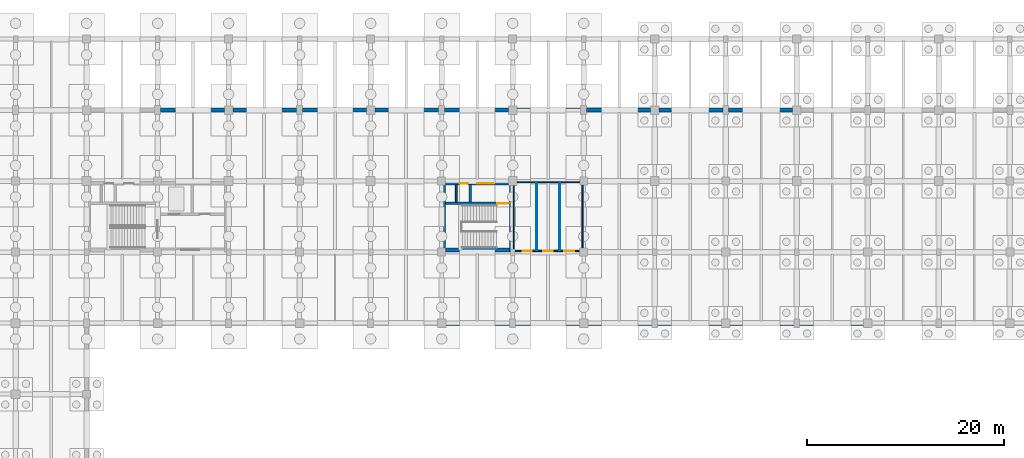
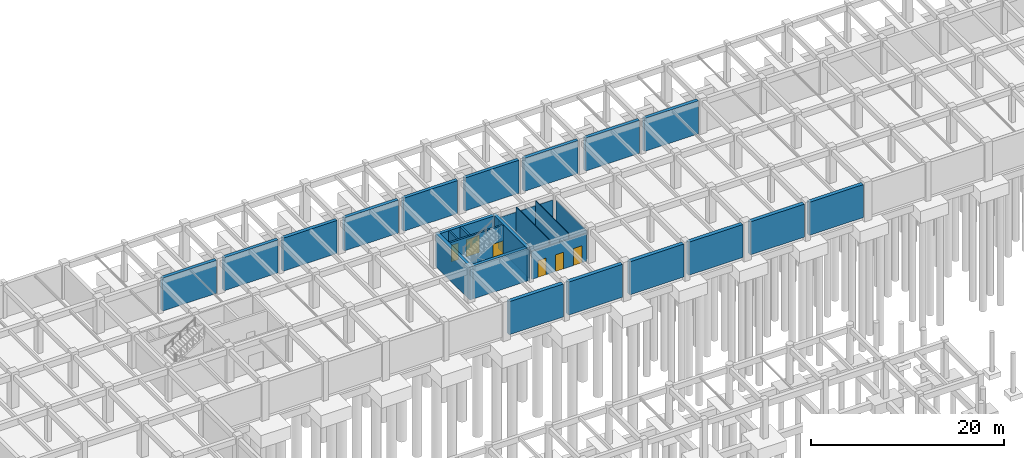
# One storey, part 40 of 47: 28 walls, 6 doors, 6 openings.
"""IFC4 building model written with IfcOpenShell, lengths in metres."""

import ifcopenshell
import ifcopenshell.guid

model = None  # the IFC model being written
_history = None  # IfcOwnerHistory: only IFC2X3 demands one
_inside = {}  # id of a spatial element -> (the spatial element, [elements in it])
_under = {}  # id of a project, library or spatial element -> (it, [spatial elements below it])
_declared = {}  # id of a project -> (the project, [libraries it declares])
_typed = {}  # id of a type object -> (the type object, [elements of that type])
_made_of = {}  # id of a material, layer set ... -> (it, [elements and type objects made of it])


def new_model(schema):
    """Start an empty IFC model of exactly this schema.

    Asked for "IFC4X3", IfcOpenShell would pick the latest addendum, in which some entities
    have other attributes; the version numbers below select the first issue.
    IFC2X3 requires an IfcOwnerHistory on every rooted entity: one is made here for all.
    """
    global model, _history
    if schema == "IFC4X3":
        model = ifcopenshell.file(schema_version=(4, 3, 0, 0))
    else:
        model = ifcopenshell.file(schema=schema)
    _inside.clear()
    _under.clear()
    _declared.clear()
    _typed.clear()
    _made_of.clear()
    _history = None
    if model.schema == "IFC2X3":
        org = make("IfcOrganization", Name="unknown")
        user = make(
            "IfcPersonAndOrganization",
            ThePerson=make("IfcPerson", FamilyName="unknown"),
            TheOrganization=org,
        )
        app = make(
            "IfcApplication",
            ApplicationDeveloper=org,
            Version="unknown",
            ApplicationFullName="unknown",
            ApplicationIdentifier="unknown",
        )
        _history = make(
            "IfcOwnerHistory",
            OwningUser=user,
            OwningApplication=app,
            ChangeAction="ADDED",
            CreationDate=0,
        )
    return model


def make(cls, **values):
    """One entity of the class cls with the attributes given. An attribute that is None is left unset."""
    return model.create_entity(
        cls, **{name: value for name, value in values.items() if value is not None}
    )


def rooted(cls, **values):
    """An entity with a GlobalId (a new one), such as an element, a storey or a relation."""
    return make(cls, GlobalId=ifcopenshell.guid.new(), OwnerHistory=_history, **values)


def si_unit(unit_type, name, prefix=None):
    """IfcSIUnit, for example si_unit("LENGTHUNIT", "METRE", prefix="MILLI")."""
    return make("IfcSIUnit", UnitType=unit_type, Prefix=prefix, Name=name)


def assignment(units):
    """IfcUnitAssignment: the units of a project."""
    return None if units is None else make("IfcUnitAssignment", Units=units)


def point(xyz):
    """IfcCartesianPoint."""
    return None if xyz is None else make("IfcCartesianPoint", Coordinates=xyz)


def direction(xyz):
    """IfcDirection."""
    return None if xyz is None else make("IfcDirection", DirectionRatios=xyz)


def frame(location, z_axis=None, x_axis=None):
    """IfcAxis2Placement3D, a coordinate frame: its origin and axes. An axis left out is left unset."""
    return make(
        "IfcAxis2Placement3D",
        Location=point(location),
        Axis=direction(z_axis),
        RefDirection=direction(x_axis),
    )


def frame_2d(location, x_axis=None):
    """IfcAxis2Placement2D, a coordinate frame in the plane: its origin and x axis."""
    return make(
        "IfcAxis2Placement2D", Location=point(location), RefDirection=direction(x_axis)
    )


def origin():
    """The frame at (0, 0, 0) with its axes left unset."""
    return frame((0.0, 0.0, 0.0))


def place(relative_to, where):
    """IfcLocalPlacement: puts the frame where relative to a parent placement (None: the world)."""
    return make(
        "IfcLocalPlacement", PlacementRelTo=relative_to, RelativePlacement=where
    )


def context(
    kind, dimensions, precision=None, world=None, true_north=None, identifier=None
):
    """IfcGeometricRepresentationContext, for example the 3D "Model" context."""
    return make(
        "IfcGeometricRepresentationContext",
        ContextIdentifier=identifier,
        ContextType=kind,
        CoordinateSpaceDimension=dimensions,
        Precision=precision,
        WorldCoordinateSystem=world,
        TrueNorth=true_north,
    )


def subcontext(parent, identifier, kind, view, scale=None):
    """IfcGeometricRepresentationSubContext, for example "Body" below "Model"."""
    return make(
        "IfcGeometricRepresentationSubContext",
        ContextIdentifier=identifier,
        ContextType=kind,
        ParentContext=parent,
        TargetScale=scale,
        TargetView=view,
    )


def project(units=None, contexts=None):
    """IfcProject with its units and contexts."""
    return rooted(
        "IfcProject",
        Name="project",
        RepresentationContexts=contexts,
        UnitsInContext=assignment(units),
    )


def spatial(cls, under=None, at=None, **own):
    """A site, building, storey or space (cls), placed at a placement, below another one or the project."""
    s = rooted(cls, ObjectPlacement=at, **own)
    if under is not None:
        _under.setdefault(under.id(), (under, []))[1].append(s)
    return s


def profile(cls, at=None, kind="AREA", **sizes):
    """A parametric profile (cls). Its sizes go by their IFC names, for example OverallWidth=200.0."""
    return make(cls, ProfileType=kind, Position=at, **sizes)


def rectangle(**sizes):
    """IfcRectangleProfileDef."""
    return profile("IfcRectangleProfileDef", **sizes)


def extrude(swept, where, along, depth):
    """IfcExtrudedAreaSolid: the profile swept, set in the frame where, extruded along a direction by depth."""
    return make(
        "IfcExtrudedAreaSolid",
        SweptArea=swept,
        Position=where,
        ExtrudedDirection=direction(along),
        Depth=depth,
    )


def shape(context_of_items, identifier, shape_type, items):
    """IfcShapeRepresentation: the items that make up one representation, for example the "Body"."""
    return make(
        "IfcShapeRepresentation",
        ContextOfItems=context_of_items,
        RepresentationIdentifier=identifier,
        RepresentationType=shape_type,
        Items=items,
    )


def material(Name=None, Category=None):
    """IfcMaterial."""
    return make("IfcMaterial", Name=Name, Category=Category)


def layer(
    of_material, thickness, ventilated=None, Name=None, Category=None, Priority=None
):
    """IfcMaterialLayer: one layer of a wall or slab, of a material (None: an air gap)."""
    return make(
        "IfcMaterialLayer",
        Material=of_material,
        LayerThickness=thickness,
        IsVentilated=ventilated,
        Name=Name,
        Category=Category,
        Priority=Priority,
    )


def layer_set(layers, Name=None):
    """IfcMaterialLayerSet."""
    return make("IfcMaterialLayerSet", MaterialLayers=layers, LayerSetName=Name)


def made_of(thing, what):
    """Note that an element or type object is made of a material, layer set ...; save() writes the relation."""
    if what is not None:
        _made_of.setdefault(what.id(), (what, []))[1].append(thing)
    return thing


def type_object(cls, material=None, **own):
    """A type object (cls), such as IfcWallType, which elements share."""
    return made_of(rooted(cls, **own), material)


def element(
    cls,
    number,
    at=None,
    inside=None,
    cuts=None,
    type_object=None,
    material=None,
    context=None,
    identifier="Body",
    shape_type=None,
    held_by="IfcProductDefinitionShape",
    body=None,
    shapes=None,
    **own,
):
    """One element of the class cls, such as IfcWall. Its Tag is "e" and its number.

    at: its placement. inside: the storey or other place that contains it. cuts: it is an
    opening in that element (IfcRelVoidsElement). A single representation is given by context,
    identifier, shape_type and body (its items); several are given by shapes. held_by: the class
    of the entity that holds the representations. save() writes the other relations.
    """
    e = rooted(cls, Tag="e%d" % number, ObjectPlacement=at, **own)
    if body is not None:
        shapes = [shape(context, identifier, shape_type, body)]
    if shapes is not None:
        e.Representation = make(held_by, Representations=shapes)
    if inside is not None:
        _inside.setdefault(inside.id(), (inside, []))[1].append(e)
    if cuts is not None:
        rooted(
            "IfcRelVoidsElement", RelatingBuildingElement=cuts, RelatedOpeningElement=e
        )
    if type_object is not None:
        _typed.setdefault(type_object.id(), (type_object, []))[1].append(e)
    return made_of(e, material)


def fill(opening, filler):
    """IfcRelFillsElement: the door or window that sits in an opening."""
    return rooted(
        "IfcRelFillsElement",
        RelatingOpeningElement=opening,
        RelatedBuildingElement=filler,
    )


def aggregate(whole, parts):
    """IfcRelAggregates: a whole, such as a stair, and the parts it consists of."""
    return rooted("IfcRelAggregates", RelatingObject=whole, RelatedObjects=parts)


def save(model, path):
    """Write the relations noted so far, then the file.

    IfcRelAggregates (storeys below a building ...), IfcRelContainedInSpatialStructure (elements
    in a storey), IfcRelDefinesByType, IfcRelAssociatesMaterial and IfcRelDeclares: one each for
    every whole, place, type object, material and project.
    """
    for whole, parts in _under.values():
        aggregate(whole, parts)
    for where, things in _inside.values():
        rooted(
            "IfcRelContainedInSpatialStructure",
            RelatedElements=things,
            RelatingStructure=where,
        )
    for kind, things in _typed.values():
        rooted("IfcRelDefinesByType", RelatedObjects=things, RelatingType=kind)
    for what, things in _made_of.values():
        rooted("IfcRelAssociatesMaterial", RelatedObjects=things, RelatingMaterial=what)
    for by, libraries in _declared.values():
        rooted("IfcRelDeclares", RelatingContext=by, RelatedDefinitions=libraries)
    model.write(path)


model = new_model("IFC4")

# Units and contexts
model_context = context("Model", 3, precision=1e-05, world=origin(), true_north=direction((0.0, 1.0)))
body_context = subcontext(model_context, "Body", "Model", "MODEL_VIEW")
ifc_project = project(units=[si_unit("LENGTHUNIT", "METRE"), si_unit("AREAUNIT", "SQUARE_METRE"), si_unit("VOLUMEUNIT", "CUBIC_METRE"), si_unit("PLANEANGLEUNIT", "RADIAN"), si_unit("MASSUNIT", "GRAM", prefix="KILO")], contexts=[model_context])

# Site, building, storey
site_placement = place(None, origin())
site = spatial("IfcSite", under=ifc_project, at=site_placement, CompositionType="ELEMENT")
building_placement = place(site_placement, origin())
building = spatial("IfcBuilding", under=site, at=building_placement, Name="Thalmaran Polytechnic", CompositionType="ELEMENT")
storey_placement = place(building_placement, frame((0.0, 0.0, -4.5)))
storey = spatial("IfcBuildingStorey", under=building, at=storey_placement, Name="B1", CompositionType="ELEMENT", Elevation=-4.5)

# Walls
ifc_material_1 = material(Name="Autoclaved aerated masonry", Category="masonry")
ifc_layer_1 = layer(ifc_material_1, 0.22998046875, Name="Autoclaved aerated masonry")
ifc_layer_set_1 = layer_set([ifc_layer_1], Name="Autoclaved aerated masonry")
wall_type_1 = type_object("IfcWallType", Name="WL-IW02", PredefinedType="PARTITIONING", material=ifc_layer_set_1)
wall_1_placement = place(storey_placement, frame((60.5, 105.89990234375, 0.0), z_axis=(0.0, 0.0, 1.0), x_axis=(0.0, 1.0, 0.0)))
element("IfcWall", 1, at=wall_1_placement, inside=storey, type_object=wall_type_1, Name="Core C6 Riser Partition B1", PredefinedType="PARTITIONING", context=body_context, shape_type="SweptSolid", body=[
    extrude(rectangle(XDim=1.739990234375, YDim=0.22998046875, at=frame_2d((0.8701171875, 0.0))), origin(), (0.0, 0.0, 1.0), 4.169921875),
])
ifc_layer_2 = layer(ifc_material_1, 0.179931640625, Name="Autoclaved aerated masonry")
ifc_layer_set_2 = layer_set([ifc_layer_2], Name="Autoclaved aerated masonry")
wall_type_2 = type_object("IfcWallType", Name="WL-IW04", PredefinedType="PARTITIONING", material=ifc_layer_set_2)
wall_2_placement = place(storey_placement, frame((59.080078125, 105.8798828125, 0.0), z_axis=(0.0, 0.0, 1.0), x_axis=(0.0, 1.0, 0.0)))
element("IfcWall", 2, at=wall_2_placement, inside=storey, type_object=wall_type_2, Name="Core C6 Riser Shaft Enclosure Wall B1", PredefinedType="PARTITIONING", context=body_context, shape_type="SweptSolid", body=[
    extrude(rectangle(XDim=1.760009765625, YDim=0.179931640625, at=frame_2d((0.8798828125, 0.0))), origin(), (0.0, 0.0, 1.0), 4.169921875),
])

# Wall, openings, doors
ifc_material_2 = material(Name="Gypsum acoustic partition")
ifc_layer_3 = layer(ifc_material_2, 0.114990234375, Name="Gypsum acoustic partition")
ifc_layer_set_3 = layer_set([ifc_layer_3], Name="Gypsum acoustic partition")
wall_type_3 = type_object("IfcWallType", Name="WL-IW08", PredefinedType="PARTITIONING", material=ifc_layer_set_3)
wall_3_placement = place(storey_placement, frame((65.030029296875, 100.919921875, 0.0), z_axis=(0.0, 0.0, 1.0), x_axis=(1.0, 0.0, 0.0)))
wall_3 = element("IfcWall", 3, at=wall_3_placement, inside=storey, type_object=wall_type_3, Name="Sanitary Core Wall B1-W2-S", PredefinedType="PARTITIONING", context=body_context, shape_type="SweptSolid", body=[
    extrude(rectangle(XDim=6.554931640625, YDim=0.114990234375, at=frame_2d((3.27734375, 0.0))), origin(), (0.0, 0.0, 1.0), 3.530029296875),
])
opening_1_placement = place(wall_3_placement, frame((0.77001953125, 0.0, 0.0)))
opening_1 = element("IfcOpeningElement", 4, at=opening_1_placement, cuts=wall_3, Name="Opening WD-B1-W2-1", PredefinedType="OPENING", context=body_context, shape_type="SweptSolid", body=[
    extrude(rectangle(XDim=0.949951171875, YDim=2.10009765625, at=frame_2d((0.47509765625, 1.050048828125))), frame((0.0, 0.0673828125, 0.0), z_axis=(0.0, -1.0, 0.0), x_axis=(1.0, 0.0, 0.0)), (0.0, 0.0, 1.0), 0.135009765625),
])
opening_2_placement = place(wall_3_placement, frame((2.8701171875, 0.0, 0.0)))
opening_2 = element("IfcOpeningElement", 5, at=opening_2_placement, cuts=wall_3, Name="Opening WD-B1-W2-2", PredefinedType="OPENING", context=body_context, shape_type="SweptSolid", body=[
    extrude(rectangle(XDim=0.949951171875, YDim=2.10009765625, at=frame_2d((0.47509765625, 1.050048828125))), frame((0.0, 0.0673828125, 0.0), z_axis=(0.0, -1.0, 0.0), x_axis=(1.0, 0.0, 0.0)), (0.0, 0.0, 1.0), 0.135009765625),
])
opening_3_placement = place(wall_3_placement, frame((5.02001953125, 0.0, 0.0)))
opening_3 = element("IfcOpeningElement", 6, at=opening_3_placement, cuts=wall_3, Name="Opening WD-B1-W2-3", PredefinedType="OPENING", context=body_context, shape_type="SweptSolid", body=[
    extrude(rectangle(XDim=1.0, YDim=2.14990234375, at=frame_2d((0.5, 1.074951171875))), frame((0.0, 0.0673828125, 0.0), z_axis=(0.0, -1.0, 0.0), x_axis=(1.0, 0.0, 0.0)), (0.0, 0.0, 1.0), 0.135009765625),
])
ifc_material_3 = material(Name="Acoustic hardwood", Category="wood")
door_type_1 = type_object("IfcDoorType", Name="DR-ID06", OperationType="NOTDEFINED", PredefinedType="DOOR", material=ifc_material_3)
door_1_placement = place(opening_3_placement, origin())
door_1 = element("IfcDoor", 7, at=door_1_placement, inside=storey, type_object=door_type_1, Name="Accessible WC Door B1-W2", OperationType="SINGLE_SWING_RIGHT", OverallHeight=2.14990234375, OverallWidth=1.0, PredefinedType="DOOR", context=body_context, shape_type="SweptSolid", body=[
    extrude(rectangle(XDim=1.0, YDim=2.14990234375, at=frame_2d((0.5, 1.074951171875))), frame((0.0, 0.02490234375, 0.0), z_axis=(0.0, -1.0, 0.0), x_axis=(1.0, 0.0, 0.0)), (0.0, 0.0, 1.0), 0.050048828125),
])
fill(opening_3, door_1)
ifc_material_4 = material(Name="Moisture-resistant laminate timber", Category="wood")
door_type_2 = type_object("IfcDoorType", Name="DR-ID07", OperationType="NOTDEFINED", PredefinedType="DOOR", material=ifc_material_4)
door_2_placement = place(opening_1_placement, origin())
door_2 = element("IfcDoor", 8, at=door_2_placement, inside=storey, type_object=door_type_2, Name="Male WC Door B1-W2", OperationType="SINGLE_SWING_RIGHT", OverallHeight=2.10009765625, OverallWidth=0.949951171875, PredefinedType="DOOR", context=body_context, shape_type="SweptSolid", body=[
    extrude(rectangle(XDim=0.949951171875, YDim=2.10009765625, at=frame_2d((0.47509765625, 1.050048828125))), frame((0.0, 0.02490234375, 0.0), z_axis=(0.0, -1.0, 0.0), x_axis=(1.0, 0.0, 0.0)), (0.0, 0.0, 1.0), 0.050048828125),
])
fill(opening_1, door_2)
door_3_placement = place(opening_2_placement, origin())
door_3 = element("IfcDoor", 9, at=door_3_placement, inside=storey, type_object=door_type_2, Name="Female WC Door B1-W2", OperationType="SINGLE_SWING_LEFT", OverallHeight=2.10009765625, OverallWidth=0.949951171875, PredefinedType="DOOR", context=body_context, shape_type="SweptSolid", body=[
    extrude(rectangle(XDim=0.949951171875, YDim=2.10009765625, at=frame_2d((0.47509765625, 1.050048828125))), frame((0.0, 0.02490234375, 0.0), z_axis=(0.0, -1.0, 0.0), x_axis=(1.0, 0.0, 0.0)), (0.0, 0.0, 1.0), 0.050048828125),
])
fill(opening_2, door_3)

# Walls
wall_4_placement = place(storey_placement, frame((65.2548828125, 107.8798828125, 0.0), z_axis=(0.0, 0.0, 1.0), x_axis=(1.0, 0.0, 0.0)))
element("IfcWall", 10, at=wall_4_placement, inside=storey, type_object=wall_type_3, Name="Sanitary Core Wall B1-W2-N", PredefinedType="PARTITIONING", context=body_context, shape_type="SweptSolid", body=[
    extrude(rectangle(XDim=6.340087890625, YDim=0.114990234375, at=frame_2d((3.169921875, 0.0))), origin(), (0.0, 0.0, 1.0), 3.530029296875),
])
wall_5_placement = place(storey_placement, frame((64.919921875, 101.1298828125, 0.0), z_axis=(0.0, 0.0, 1.0), x_axis=(0.0, 1.0, 0.0)))
element("IfcWall", 11, at=wall_5_placement, inside=storey, type_object=wall_type_3, Name="Sanitary Side Wall B1-W2-W", PredefinedType="PARTITIONING", context=body_context, shape_type="SweptSolid", body=[
    extrude(rectangle(XDim=6.4150390625, YDim=0.114990234375, at=frame_2d((3.20751953125, 0.0))), origin(), (0.0, 0.0, 1.0), 3.5400390625),
])
wall_6_placement = place(storey_placement, frame((71.8798828125, 101.215087890625, 0.0), z_axis=(0.0, 0.0, 1.0), x_axis=(0.0, 1.0, 0.0)))
element("IfcWall", 12, at=wall_6_placement, inside=storey, type_object=wall_type_3, Name="Sanitary Side Wall B1-W2-E", PredefinedType="PARTITIONING", context=body_context, shape_type="SweptSolid", body=[
    extrude(rectangle(XDim=6.3798828125, YDim=0.114990234375, at=frame_2d((3.18994140625, 0.0))), origin(), (0.0, 0.0, 1.0), 3.5400390625),
])
ifc_material_5 = material(Name="Moisture-resistant partition")
ifc_layer_4 = layer(ifc_material_5, 0.10009765625, Name="Moisture-resistant partition")
ifc_layer_set_4 = layer_set([ifc_layer_4], Name="Moisture-resistant partition")
wall_type_4 = type_object("IfcWallType", Name="WL-IW09", PredefinedType="PARTITIONING", material=ifc_layer_set_4)
for number, where, z_axis, x_axis, name in (
    (13, (67.25, 101.0, 0.0), (0.0, 0.0, 1.0), (0.0, 1.0, 0.0), "WC Partition B1-W2-1"),
    (14, (69.550048828125, 101.0, 0.0), (0.0, 0.0, 1.0), (0.0, 1.0, 0.0), "WC Partition B1-W2-2"),
):
    element("IfcWall", number, at=place(storey_placement, frame(where, z_axis=z_axis, x_axis=x_axis)), inside=storey, type_object=wall_type_4, Name=name, PredefinedType="PARTITIONING", context=body_context, shape_type="SweptSolid", body=[
        extrude(rectangle(XDim=6.800048828125, YDim=0.10009765625, at=frame_2d((3.39990234375, 0.0))), origin(), (0.0, 0.0, 1.0), 4.169921875),
    ])
ifc_material_6 = material(Name="Concrete C40/50", Category="concrete")
ifc_layer_5 = layer(ifc_material_6, 0.449951171875, Name="Concrete C40/50")
ifc_layer_set_5 = layer_set([ifc_layer_5], Name="Concrete C40/50")
wall_type_5 = type_object("IfcWallType", Name="WL-RW01", PredefinedType="SOLIDWALL", material=ifc_layer_set_5)
wall_7_placement = place(storey_placement, frame((100.360107421875, 93.60009765625, 0.0), z_axis=(0.0, 0.0, 1.0), x_axis=(-1.0, 0.0, 0.0)))
element("IfcWall", 15, at=wall_7_placement, inside=storey, type_object=wall_type_5, Name="Basement Retaining Wall B1-067", PredefinedType="SOLIDWALL", context=body_context, shape_type="SweptSolid", body=[
    extrude(rectangle(XDim=6.460205078125, YDim=0.449951171875, at=frame_2d((3.22998046875, 0.0))), origin(), (0.0, 0.0, 1.0), 4.169921875),
])
for number, where, z_axis, x_axis, name in (
    (16, (93.300048828125, 93.60009765625, 0.0), (0.0, 0.0, 1.0), (-1.0, 0.0, 0.0), "Basement Retaining Wall B1-068"),
    (17, (85.9599609375, 93.60009765625, 0.0), (0.0, 0.0, 1.0), (-1.0, 0.0, 0.0), "Basement Retaining Wall B1-069"),
    (18, (78.89990234375, 93.60009765625, 0.0), (0.0, 0.0, 1.0), (-1.0, 0.0, 0.0), "Basement Retaining Wall B1-070"),
    (19, (71.56005859375, 93.60009765625, 0.0), (0.0, 0.0, 1.0), (-1.0, 0.0, 0.0), "Basement Retaining Wall B1-071"),
    (20, (64.5, 93.60009765625, 0.0), (0.0, 0.0, 1.0), (-1.0, 0.0, 0.0), "Basement Retaining Wall B1-072"),
):
    element("IfcWall", number, at=place(storey_placement, frame(where, z_axis=z_axis, x_axis=x_axis)), inside=storey, type_object=wall_type_5, Name=name, PredefinedType="SOLIDWALL", context=body_context, shape_type="SweptSolid", body=[
        extrude(rectangle(XDim=6.4599609375, YDim=0.449951171875, at=frame_2d((3.22998046875, 0.0))), origin(), (0.0, 0.0, 1.0), 4.169921875),
    ])
ifc_layer_6 = layer(ifc_material_6, 0.39990234375, Name="Concrete C40/50")
ifc_layer_set_6 = layer_set([ifc_layer_6], Name="Concrete C40/50")
wall_type_6 = type_object("IfcWallType", Name="WL-RW02", PredefinedType="SOLIDWALL", material=ifc_layer_set_6)
for number, where, z_axis, x_axis, name in (
    (21, (29.10009765625, 115.199951171875, 0.0), (0.0, 0.0, 1.0), (1.0, 0.0, 0.0), "Basement Retaining Wall B1-030"),
    (22, (36.43994140625, 115.199951171875, 0.0), (0.0, 0.0, 1.0), (1.0, 0.0, 0.0), "Basement Retaining Wall B1-031"),
    (23, (43.5, 115.199951171875, 0.0), (0.0, 0.0, 1.0), (1.0, 0.0, 0.0), "Basement Retaining Wall B1-032"),
    (24, (50.840087890625, 115.199951171875, 0.0), (0.0, 0.0, 1.0), (1.0, 0.0, 0.0), "Basement Retaining Wall B1-033"),
):
    element("IfcWall", number, at=place(storey_placement, frame(where, z_axis=z_axis, x_axis=x_axis)), inside=storey, type_object=wall_type_6, Name=name, PredefinedType="SOLIDWALL", context=body_context, shape_type="SweptSolid", body=[
        extrude(rectangle(XDim=6.4599609375, YDim=0.39990234375, at=frame_2d((3.22998046875, 0.0))), origin(), (0.0, 0.0, 1.0), 4.169921875),
    ])
wall_8_placement = place(storey_placement, frame((57.89990234375, 115.199951171875, 0.0), z_axis=(0.0, 0.0, 1.0), x_axis=(1.0, 0.0, 0.0)))
element("IfcWall", 25, at=wall_8_placement, inside=storey, type_object=wall_type_6, Name="Basement Retaining Wall B1-034", PredefinedType="SOLIDWALL", context=body_context, shape_type="SweptSolid", body=[
    extrude(rectangle(XDim=6.460205078125, YDim=0.39990234375, at=frame_2d((3.22998046875, 0.0))), origin(), (0.0, 0.0, 1.0), 4.169921875),
])
for number, where, z_axis, x_axis, name in (
    (26, (65.239990234375, 115.199951171875, 0.0), (0.0, 0.0, 1.0), (1.0, 0.0, 0.0), "Basement Retaining Wall B1-035"),
    (27, (72.300048828125, 115.199951171875, 0.0), (0.0, 0.0, 1.0), (1.0, 0.0, 0.0), "Basement Retaining Wall B1-036"),
):
    element("IfcWall", number, at=place(storey_placement, frame(where, z_axis=z_axis, x_axis=x_axis)), inside=storey, type_object=wall_type_6, Name=name, PredefinedType="SOLIDWALL", context=body_context, shape_type="SweptSolid", body=[
        extrude(rectangle(XDim=6.4599609375, YDim=0.39990234375, at=frame_2d((3.22998046875, 0.0))), origin(), (0.0, 0.0, 1.0), 4.169921875),
    ])
wall_9_placement = place(storey_placement, frame((79.639892578125, 115.199951171875, 0.0), z_axis=(0.0, 0.0, 1.0), x_axis=(1.0, 0.0, 0.0)))
element("IfcWall", 28, at=wall_9_placement, inside=storey, type_object=wall_type_6, Name="Basement Retaining Wall B1-037", PredefinedType="SOLIDWALL", context=body_context, shape_type="SweptSolid", body=[
    extrude(rectangle(XDim=6.460205078125, YDim=0.39990234375, at=frame_2d((3.22998046875, 0.0))), origin(), (0.0, 0.0, 1.0), 4.169921875),
])
wall_10_placement = place(storey_placement, frame((86.699951171875, 115.199951171875, 0.0), z_axis=(0.0, 0.0, 1.0), x_axis=(1.0, 0.0, 0.0)))
element("IfcWall", 29, at=wall_10_placement, inside=storey, type_object=wall_type_6, Name="Basement Retaining Wall B1-038", PredefinedType="SOLIDWALL", context=body_context, shape_type="SweptSolid", body=[
    extrude(rectangle(XDim=6.4599609375, YDim=0.39990234375, at=frame_2d((3.22998046875, 0.0))), origin(), (0.0, 0.0, 1.0), 4.169921875),
])
ifc_material_7 = material(Name="Concrete C50/60", Category="concrete")
ifc_layer_7 = layer(ifc_material_7, 0.3798828125, Name="Concrete C50/60")
ifc_layer_set_7 = layer_set([ifc_layer_7], Name="Concrete C50/60")
wall_type_7 = type_object("IfcWallType", Name="WL-SW02", PredefinedType="SHEAR", material=ifc_layer_set_7)
wall_11_placement = place(storey_placement, frame((58.010009765625, 101.02001953125, 0.0), z_axis=(0.0, 0.0, 1.0), x_axis=(1.0, 0.0, 0.0)))
element("IfcWall", 30, at=wall_11_placement, inside=storey, type_object=wall_type_7, Name="Core C6 South Shear Wall B1", PredefinedType="SHEAR", context=body_context, shape_type="SweptSolid", body=[
    extrude(rectangle(XDim=6.4599609375, YDim=0.3798828125, at=frame_2d((3.22998046875, 0.0))), origin(), (0.0, 0.0, 1.0), 4.169921875),
])
wall_12_placement = place(storey_placement, frame((57.820068359375, 107.969970703125, 0.0), z_axis=(0.0, 0.0, 1.0), x_axis=(0.0, -1.0, 0.0)))
element("IfcWall", 31, at=wall_12_placement, inside=storey, type_object=wall_type_7, Name="Core C6 West Shear Wall B1", PredefinedType="SHEAR", context=body_context, shape_type="SweptSolid", body=[
    extrude(rectangle(XDim=7.139892578125, YDim=0.3798828125, at=frame_2d((3.56982421875, 0.0))), origin(), (0.0, 0.0, 1.0), 4.169921875),
])

# Wall, openings, doors
wall_13_placement = place(storey_placement, frame((58.010009765625, 107.780029296875, 0.0), z_axis=(0.0, 0.0, 1.0), x_axis=(1.0, 0.0, 0.0)))
wall_13 = element("IfcWall", 32, at=wall_13_placement, inside=storey, type_object=wall_type_7, Name="Core C6 North Shear Wall B1", PredefinedType="SHEAR", context=body_context, shape_type="SweptSolid", body=[
    extrude(rectangle(XDim=6.4599609375, YDim=0.3798828125, at=frame_2d((3.22998046875, 0.0))), origin(), (0.0, 0.0, 1.0), 4.169921875),
])
opening_4_placement = place(wall_13_placement, frame((1.419921875, 0.0, 0.0)))
opening_4 = element("IfcOpeningElement", 33, at=opening_4_placement, cuts=wall_13, Name="Opening DR-C6-B1-R", PredefinedType="OPENING", context=body_context, shape_type="SweptSolid", body=[
    extrude(rectangle(XDim=0.85009765625, YDim=2.10009765625, at=frame_2d((0.425048828125, 1.050048828125))), frame((0.0, 0.199951171875, 0.0), z_axis=(0.0, -1.0, 0.0), x_axis=(1.0, 0.0, 0.0)), (0.0, 0.0, 1.0), 0.39990234375),
])
opening_5_placement = place(wall_13_placement, frame((3.199951171875, 0.0, 0.0)))
opening_5 = element("IfcOpeningElement", 34, at=opening_5_placement, cuts=wall_13, Name="Opening LD-C6-B1", PredefinedType="OPENING", context=body_context, shape_type="SweptSolid", body=[
    extrude(rectangle(XDim=1.60009765625, YDim=2.199951171875, at=frame_2d((0.800048828125, 1.10009765625))), frame((0.0, 0.199951171875, 0.0), z_axis=(0.0, -1.0, 0.0), x_axis=(1.0, 0.0, 0.0)), (0.0, 0.0, 1.0), 0.39990234375),
])
ifc_material_8 = material(Name="Powder-coated fire-rated steel", Category="steel")
door_type_3 = type_object("IfcDoorType", Name="DR-FD05", OperationType="NOTDEFINED", PredefinedType="DOOR", material=ifc_material_8)
door_4_placement = place(opening_5_placement, frame((1.60009765625, 0.0, 0.0), z_axis=(0.0, 0.0, 1.0), x_axis=(-1.0, 0.0, 0.0)))
door_4 = element("IfcDoor", 35, at=door_4_placement, inside=storey, type_object=door_type_3, Name="Stair Lobby Fire Door C6 B1", OperationType="DOUBLE_DOOR_SINGLE_SWING", OverallHeight=2.199951171875, OverallWidth=1.60009765625, PredefinedType="DOOR", context=body_context, shape_type="SweptSolid", body=[
    extrude(rectangle(XDim=1.60009765625, YDim=2.199951171875, at=frame_2d((0.800048828125, 1.10009765625))), frame((0.0, 0.02490234375, 0.0), z_axis=(0.0, -1.0, 0.0), x_axis=(1.0, 0.0, 0.0)), (0.0, 0.0, 1.0), 0.050048828125),
])
fill(opening_5, door_4)
door_type_4 = type_object("IfcDoorType", Name="DR-FD09", OperationType="NOTDEFINED", PredefinedType="DOOR", material=ifc_material_8)
door_5_placement = place(opening_4_placement, origin())
door_5 = element("IfcDoor", 36, at=door_5_placement, inside=storey, type_object=door_type_4, Name="Riser Access Fire Door C6 B1", OperationType="SINGLE_SWING_RIGHT", OverallHeight=2.10009765625, OverallWidth=0.85009765625, PredefinedType="DOOR", context=body_context, shape_type="SweptSolid", body=[
    extrude(rectangle(XDim=0.85009765625, YDim=2.10009765625, at=frame_2d((0.425048828125, 1.050048828125))), frame((0.0, 0.02490234375, 0.0), z_axis=(0.0, -1.0, 0.0), x_axis=(1.0, 0.0, 0.0)), (0.0, 0.0, 1.0), 0.050048828125),
])
fill(opening_4, door_5)

# Wall, opening, door
wall_14_placement = place(storey_placement, frame((58.010009765625, 105.760009765625, 0.0), z_axis=(0.0, 0.0, 1.0), x_axis=(1.0, 0.0, 0.0)))
wall_14 = element("IfcWall", 37, at=wall_14_placement, inside=storey, type_object=wall_type_7, Name="Core C6 Stair Partition B1", PredefinedType="SHEAR", context=body_context, shape_type="SweptSolid", body=[
    extrude(rectangle(XDim=6.4599609375, YDim=0.219970703125, at=frame_2d((3.22998046875, 0.0))), origin(), (0.0, 0.0, 1.0), 4.169921875),
])
opening_6_placement = place(wall_14_placement, frame((5.199951171875, 0.0, 0.0)))
opening_6 = element("IfcOpeningElement", 38, at=opening_6_placement, cuts=wall_14, Name="Opening SD-ST6-B1", PredefinedType="OPENING", context=body_context, shape_type="SweptSolid", body=[
    extrude(rectangle(XDim=1.199951171875, YDim=2.199951171875, at=frame_2d((0.60009765625, 1.10009765625))), frame((0.0, 0.119873046875, 0.0), z_axis=(0.0, -1.0, 0.0), x_axis=(1.0, 0.0, 0.0)), (0.0, 0.0, 1.0), 0.239990234375),
])
door_type_5 = type_object("IfcDoorType", Name="DR-FD04", OperationType="NOTDEFINED", PredefinedType="DOOR", material=ifc_material_8)
door_6_placement = place(opening_6_placement, origin())
door_6 = element("IfcDoor", 39, at=door_6_placement, inside=storey, type_object=door_type_5, Name="Exit Stair Fire Door ST6 B1", OperationType="DOUBLE_DOOR_SINGLE_SWING", OverallHeight=2.199951171875, OverallWidth=1.199951171875, PredefinedType="DOOR", context=body_context, shape_type="SweptSolid", body=[
    extrude(rectangle(XDim=1.199951171875, YDim=2.199951171875, at=frame_2d((0.60009765625, 1.10009765625))), frame((0.0, 0.02490234375, 0.0), z_axis=(0.0, -1.0, 0.0), x_axis=(1.0, 0.0, 0.0)), (0.0, 0.0, 1.0), 0.050048828125),
])
fill(opening_6, door_6)

# Wall
wall_15_placement = place(storey_placement, frame((64.659912109375, 100.830078125, 0.0), z_axis=(0.0, 0.0, 1.0), x_axis=(0.0, 1.0, 0.0)))
element("IfcWall", 40, at=wall_15_placement, inside=storey, type_object=wall_type_7, Name="Core C6 East Shear Wall B1", PredefinedType="SHEAR", context=body_context, shape_type="SweptSolid", body=[
    extrude(rectangle(XDim=7.139892578125, YDim=0.3798828125, at=frame_2d((3.56982421875, 0.0))), origin(), (0.0, 0.0, 1.0), 4.169921875),
])

save(model, "model.ifc")
